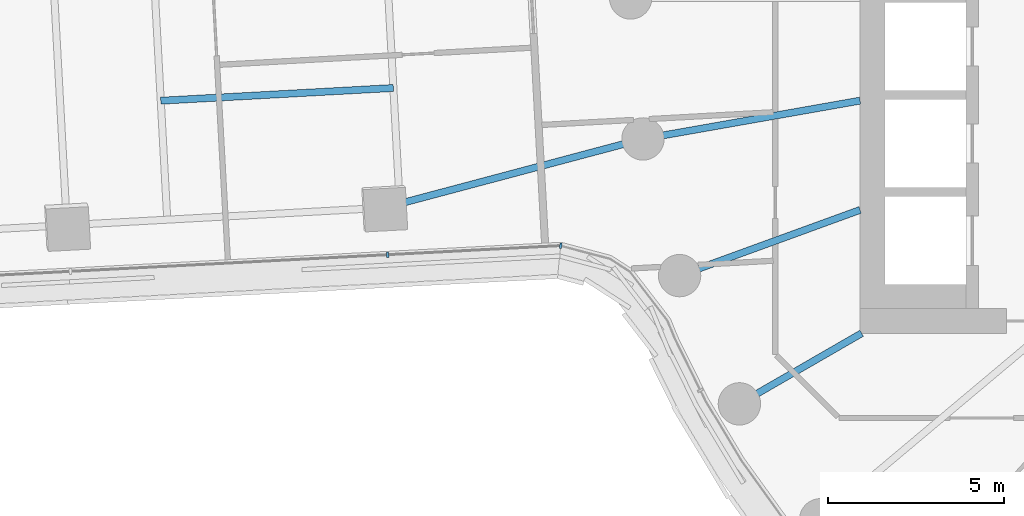
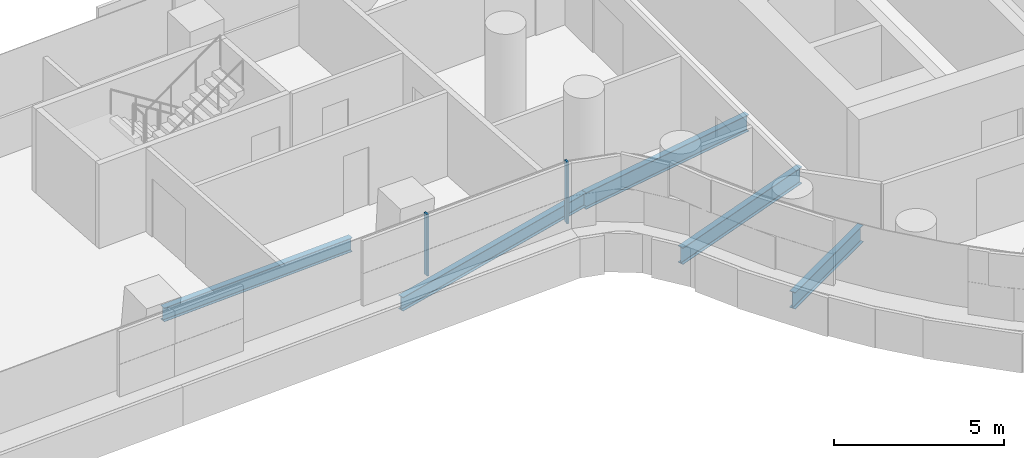
# One storey, part 5 of 31: 5 beams, 2 members, 2 elements without a shape of their own.
"""IFC4 building model written with IfcOpenShell, lengths in metres."""

from ifc_helpers import new_model, si_unit, direction, frame, origin, origin_2d, place, context, subcontext, project, spatial, rectangle, i_section, extrude, material, layer, layer_set, material_profile, profile_set, type_object, element, aggregate, save


model = new_model("IFC4")

# Units and contexts
model_context = context("Model", 3, precision=1e-05, world=origin(), true_north=direction((0.0, 1.0)))
body_context = subcontext(model_context, "Body", "Model", "MODEL_VIEW")
ifc_project = project(units=[si_unit("LENGTHUNIT", "METRE"), si_unit("AREAUNIT", "SQUARE_METRE"), si_unit("VOLUMEUNIT", "CUBIC_METRE"), si_unit("PLANEANGLEUNIT", "RADIAN"), si_unit("MASSUNIT", "GRAM", prefix="KILO")], contexts=[model_context])

# Site, building, storey
site_placement = place(None, origin())
site = spatial("IfcSite", under=ifc_project, at=site_placement, CompositionType="ELEMENT")
building_placement = place(site_placement, origin())
building = spatial("IfcBuilding", under=site, at=building_placement, Name="Tamarind Cross Interchange Tower", CompositionType="ELEMENT")
storey_placement = place(building_placement, frame((0.0, 0.0, 45.25)))
storey = spatial("IfcBuildingStorey", under=building, at=storey_placement, Name="L09", CompositionType="ELEMENT", Elevation=45.25)

# Beams
ifc_material_1 = material(Name="Steel Q355B", Category="steel")
ifc_material_profile_1 = material_profile(ifc_material_1, i_section(OverallWidth=0.198974609375, OverallDepth=0.49609375, WebThickness=0.009033203125, FlangeThickness=0.013916015625, FilletRadius=0.012939453125, at=origin_2d()), Name="HN 496x199x9x14")
ifc_profile_set_1 = profile_set([ifc_material_profile_1], Name="Steel Q355B")
beam_type_1 = type_object("IfcBeamType", Name="Composite beam HN 496x199x9x14 Q355B", PredefinedType="BEAM", material=ifc_profile_set_1)
beam_1_placement = place(storey_placement, frame((-29.98681640625, -5.945556640625, -0.387939453125), z_axis=(0.966387431755, 0.25709012378, 0.0), x_axis=(-0.25709012378, 0.966387431755, 0.0)))
element("IfcBeam", 1, at=beam_1_placement, inside=storey, type_object=beam_type_1, Name="Beam W-linkep", PredefinedType="BEAM", context=body_context, shape_type="SweptSolid", body=[
    extrude(i_section(OverallWidth=0.198974609375, OverallDepth=0.49609375, WebThickness=0.009033203125, FlangeThickness=0.013916015625, FilletRadius=0.012939453125, at=origin_2d()), origin(), (0.0, 0.0, 1.0), 7.59130859375),
])
beam_2_placement = place(storey_placement, frame((-29.72216796875, -2.551025390625, -0.387939453125), z_axis=(-0.9985043108, -0.054673040098, 0.0), x_axis=(0.054673040098, -0.9985043108, 0.0)))
element("IfcBeam", 2, at=beam_2_placement, inside=storey, type_object=beam_type_1, Name="Beam W-stripp", PredefinedType="BEAM", context=body_context, shape_type="SweptSolid", body=[
    extrude(i_section(OverallWidth=0.198974609375, OverallDepth=0.49609375, WebThickness=0.009033203125, FlangeThickness=0.013916015625, FilletRadius=0.012939453125, at=origin_2d()), origin(), (0.0, 0.0, 1.0), 6.599853515625),
])
ifc_material_profile_2 = material_profile(ifc_material_1, i_section(OverallWidth=0.198974609375, OverallDepth=0.595947265625, WebThickness=0.010009765625, FlangeThickness=0.014892578125, FilletRadius=0.012939453125, at=origin_2d()), Name="HN 596x199x10x15")
ifc_profile_set_2 = profile_set([ifc_material_profile_2], Name="Steel Q355B")
beam_type_2 = type_object("IfcBeamType", Name="Composite beam HN 596x199x10x15 Q355B", PredefinedType="BEAM", material=ifc_profile_set_2)
beam_3_placement = place(storey_placement, frame((-22.650634765625, -3.993896484375, -0.43798828125), z_axis=(0.984809127561, 0.173640382036, 0.0), x_axis=(-0.173640382036, 0.984809127561, 0.0)))
element("IfcBeam", 3, at=beam_3_placement, inside=storey, type_object=beam_type_2, Name="Beam HH19", PredefinedType="BEAM", context=body_context, shape_type="SweptSolid", body=[
    extrude(i_section(OverallWidth=0.198974609375, OverallDepth=0.595947265625, WebThickness=0.010009765625, FlangeThickness=0.014892578125, FilletRadius=0.012939453125, at=origin_2d()), origin(), (0.0, 0.0, 1.0), 6.24560546875),
])
beam_4_placement = place(storey_placement, frame((-21.613037109375, -7.866455078125, -0.43798828125), z_axis=(0.939701685589, 0.341995236956, 0.0), x_axis=(-0.341995236956, 0.939701685589, 0.0)))
element("IfcBeam", 4, at=beam_4_placement, inside=storey, type_object=beam_type_2, Name="Beam HH20", PredefinedType="BEAM", context=body_context, shape_type="SweptSolid", body=[
    extrude(i_section(OverallWidth=0.198974609375, OverallDepth=0.595947265625, WebThickness=0.010009765625, FlangeThickness=0.014892578125, FilletRadius=0.012939453125, at=origin_2d()), origin(), (0.0, 0.0, 1.0), 5.441162109375),
])
beam_5_placement = place(storey_placement, frame((-19.918701171875, -11.5, -0.43798828125), z_axis=(0.866026010844, 0.49999894854, 0.0), x_axis=(-0.49999894854, 0.866026010844, 0.0)))
element("IfcBeam", 5, at=beam_5_placement, inside=storey, type_object=beam_type_2, Name="Beam HH21", PredefinedType="BEAM", context=body_context, shape_type="SweptSolid", body=[
    extrude(i_section(OverallWidth=0.198974609375, OverallDepth=0.595947265625, WebThickness=0.010009765625, FlangeThickness=0.014892578125, FilletRadius=0.012939453125, at=origin_2d()), origin(), (0.0, 0.0, 1.0), 4.0),
])

# Curtain wall, member
ifc_material_2 = material(Name="Aluminium 6063-T6", Category="aluminium")
ifc_layer = layer(ifc_material_2, 0.159912109375)
ifc_layer_set = layer_set([ifc_layer], Name="Aluminium 6063-T6")
curtain_wall_type = type_object("IfcCurtainWallType", Name="Office curtain wall, 9.0 m bays", PredefinedType="NOTDEFINED", material=ifc_layer_set)
curtain_wall_1_placement = place(storey_placement, origin())
curtain_wall_1 = element("IfcCurtainWall", 6, at=curtain_wall_1_placement, inside=storey, type_object=curtain_wall_type, Name="CWS-L09-01", PredefinedType="NOTDEFINED")
ifc_material_profile_3 = material_profile(ifc_material_2, rectangle(XDim=0.06005859375, YDim=0.159912109375, at=origin_2d()), Name="Mullion CW1")
ifc_profile_set_3 = profile_set([ifc_material_profile_3], Name="Aluminium 6063-T6")
member_type = type_object("IfcMemberType", Name="Mullion CW1", PredefinedType="MULLION", material=ifc_profile_set_3)
member_1_placement = place(storey_placement, frame((-29.88330078125, -7.279541015625, 1.39990234375), z_axis=(0.0, 0.0, 1.0), x_axis=(0.998622085659, 0.052477900426, 0.0)))
member_1 = element("IfcMember", 7, at=member_1_placement, type_object=member_type, Name="CWM-L09-01-02", PredefinedType="MULLION", context=body_context, shape_type="SweptSolid", body=[
    extrude(rectangle(XDim=0.06005859375, YDim=0.159912109375, at=origin_2d()), origin(), (0.0, 0.0, 1.0), 2.210205078125),
])
aggregate(curtain_wall_1, [member_1])

curtain_wall_2_placement = place(storey_placement, origin())
curtain_wall_2 = element("IfcCurtainWall", 8, at=curtain_wall_2_placement, inside=storey, type_object=curtain_wall_type, Name="CWS-L09-02", PredefinedType="NOTDEFINED")
member_2_placement = place(storey_placement, frame((-24.98046875, -7.02197265625, 1.39990234375), z_axis=(0.0, 0.0, 1.0), x_axis=(0.994691949703, -0.102897644272, 0.0)))
member_2 = element("IfcMember", 9, at=member_2_placement, type_object=member_type, Name="CWM-L09-02-00", PredefinedType="MULLION", context=body_context, shape_type="SweptSolid", body=[
    extrude(rectangle(XDim=0.06005859375, YDim=0.159912109375, at=origin_2d()), origin(), (0.0, 0.0, 1.0), 2.210205078125),
])
aggregate(curtain_wall_2, [member_2])

save(model, "model.ifc")
